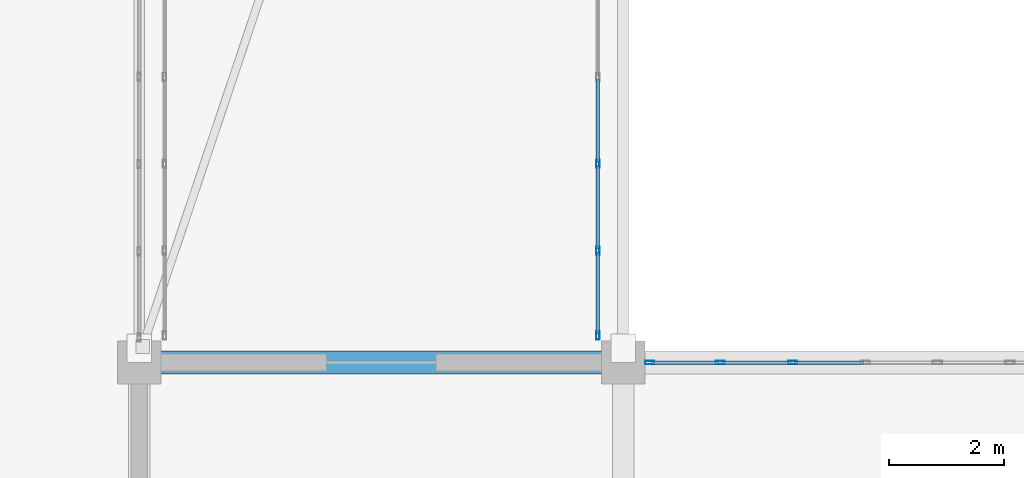
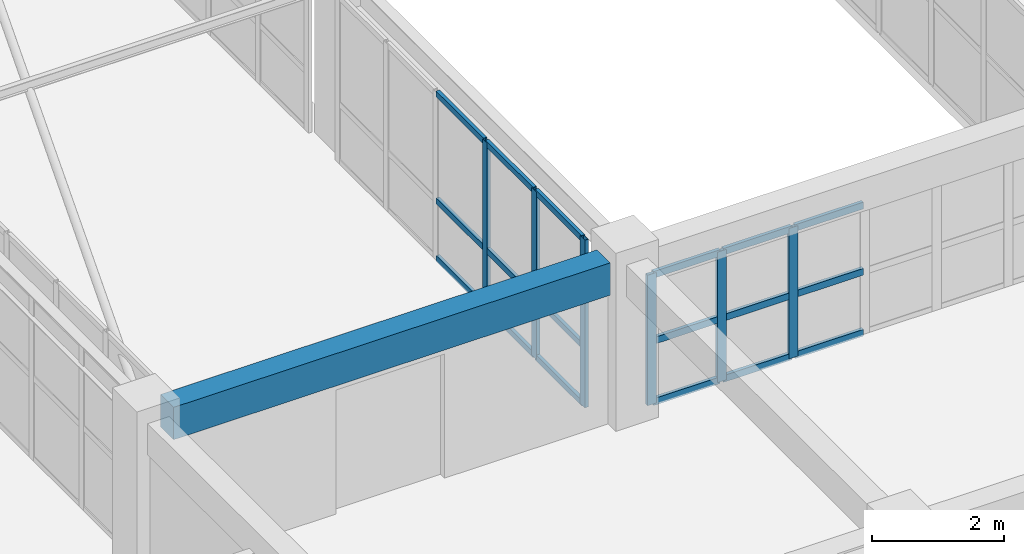
# One storey, part 93 of 200: 24 members, 1 beam, 2 elements without a shape of their own.
"""IFC4 building model written with IfcOpenShell, lengths in metres."""

from ifc_helpers import new_model, si_unit, direction, frame, origin, origin_2d, place, context, subcontext, project, spatial, rectangle, hollow_rectangle, extrude, material, layer, layer_set, material_profile, profile_set, type_object, element, aggregate, save


model = new_model("IFC4")

# Units and contexts
model_context = context("Model", 3, precision=1e-05, world=origin(), true_north=direction((0.0, 1.0)))
body_context = subcontext(model_context, "Body", "Model", "MODEL_VIEW")
ifc_project = project(units=[si_unit("LENGTHUNIT", "METRE"), si_unit("AREAUNIT", "SQUARE_METRE"), si_unit("VOLUMEUNIT", "CUBIC_METRE"), si_unit("PLANEANGLEUNIT", "RADIAN"), si_unit("MASSUNIT", "GRAM", prefix="KILO")], contexts=[model_context])

# Site, building, storey
site_placement = place(None, origin())
site = spatial("IfcSite", under=ifc_project, at=site_placement, CompositionType="ELEMENT")
building_placement = place(site_placement, origin())
building = spatial("IfcBuilding", under=site, at=building_placement, Name="Trelvath General Hospital", CompositionType="ELEMENT")
storey_placement = place(building_placement, frame((0.0, 0.0, 4.800048828125)))
storey = spatial("IfcBuildingStorey", under=building, at=storey_placement, Name="L01", CompositionType="ELEMENT", Elevation=4.800048828125)

# Beam
ifc_material_1 = material(Name="Concrete C35/45", Category="concrete")
ifc_material_profile_1 = material_profile(ifc_material_1, rectangle(XDim=0.39990234375, YDim=0.60009765625, at=origin_2d()), Name="RCB400x600")
ifc_profile_set_1 = profile_set([ifc_material_profile_1], Name="Concrete C35/45")
beam_type = type_object("IfcBeamType", Name="Beam RC400x600", PredefinedType="BEAM", material=ifc_profile_set_1)
beam_placement = place(storey_placement, frame((75.969970703125, 67.199951171875, 2.719970703125), z_axis=(1.0, 0.0, 0.0), x_axis=(0.0, 1.0, 0.0)))
element("IfcBeam", 1, at=beam_placement, inside=storey, type_object=beam_type, Name="Grid Beam BX-109I", PredefinedType="BEAM", context=body_context, shape_type="SweptSolid", body=[
    extrude(rectangle(XDim=0.39990234375, YDim=0.60009765625, at=origin_2d()), origin(), (0.0, 0.0, 1.0), 7.659912109375),
])

# Curtain wall, members
ifc_material_2 = material(Name="Anodised aluminium and low-E glass", Category="aluminium")
ifc_layer_1 = layer(ifc_material_2, 0.139892578125)
ifc_layer_set_1 = layer_set([ifc_layer_1], Name="Anodised aluminium and low-E glass")
curtain_wall_type_1 = type_object("IfcCurtainWallType", Name="CW Bridge 752 311", PredefinedType="USERDEFINED", material=ifc_layer_set_1)
curtain_wall_1_placement = place(storey_placement, origin())
curtain_wall_1 = element("IfcCurtainWall", 2, at=curtain_wall_1_placement, inside=storey, type_object=curtain_wall_type_1, Name="Glazed Bridge Curtain Wall BRG-N-C E L01", ObjectType="Unitised Glazed Curtain Wall", PredefinedType="USERDEFINED")
ifc_material_3 = material(Name="Anodised aluminium", Category="aluminium")
ifc_material_profile_2 = material_profile(ifc_material_3, hollow_rectangle(XDim=0.06005859375, YDim=0.139892578125, WallThickness=0.00390625, at=origin_2d()), Name="RHS60x140x4")
ifc_profile_set_2 = profile_set([ifc_material_profile_2], Name="Anodised aluminium")
member_type_1 = type_object("IfcMemberType", Name="CurtainMullion 60x140", PredefinedType="MULLION", material=ifc_profile_set_2)
member_1_placement = place(storey_placement, frame((83.56005859375, 70.64794921875, 0.0), z_axis=(0.0, 0.0, 1.0), x_axis=(1.0, 0.0, 0.0)))
member_1 = element("IfcMember", 3, at=member_1_placement, type_object=member_type_1, Name="CW-173 mullion 4", PredefinedType="MULLION", context=body_context, shape_type="SweptSolid", body=[
    extrude(hollow_rectangle(XDim=0.06005859375, YDim=0.139892578125, WallThickness=0.00390625, at=origin_2d()), origin(), (0.0, 0.0, 1.0), 3.10986328125),
])
member_2_placement = place(storey_placement, frame((83.56005859375, 69.14404296875, 0.0), z_axis=(0.0, 0.0, 1.0), x_axis=(1.0, 0.0, 0.0)))
member_2 = element("IfcMember", 4, at=member_2_placement, type_object=member_type_1, Name="CW-173 mullion 5", PredefinedType="MULLION", context=body_context, shape_type="SweptSolid", body=[
    extrude(hollow_rectangle(XDim=0.06005859375, YDim=0.139892578125, WallThickness=0.00390625, at=origin_2d()), origin(), (0.0, 0.0, 1.0), 3.10986328125),
])
member_3_placement = place(storey_placement, frame((83.56005859375, 67.669921875, 0.0), z_axis=(0.0, 0.0, 1.0), x_axis=(1.0, 0.0, 0.0)))
member_3 = element("IfcMember", 5, at=member_3_placement, type_object=member_type_1, Name="CW-173 mullion 6", PredefinedType="MULLION", context=body_context, shape_type="SweptSolid", body=[
    extrude(hollow_rectangle(XDim=0.06005859375, YDim=0.139892578125, WallThickness=0.00390625, at=origin_2d()), origin(), (0.0, 0.0, 1.0), 3.10986328125),
])

ifc_material_4 = material(Name="Anodised aluminium and low-E glass", Category="aluminium")
ifc_layer_2 = layer(ifc_material_4, 0.159912109375)
ifc_layer_set_2 = layer_set([ifc_layer_2], Name="Anodised aluminium and low-E glass")
curtain_wall_type_2 = type_object("IfcCurtainWallType", Name="CW Facade 754 242 16", PredefinedType="USERDEFINED", material=ifc_layer_set_2)
curtain_wall_2_placement = place(storey_placement, origin())
curtain_wall_2 = element("IfcCurtainWall", 6, at=curtain_wall_2_placement, inside=storey, type_object=curtain_wall_type_2, Name="Facade Curtain Wall CW-017", ObjectType="Unitised Glazed Curtain Wall", PredefinedType="USERDEFINED")
ifc_material_5 = material(Name="Anodised aluminium", Category="aluminium")
ifc_material_profile_3 = material_profile(ifc_material_5, hollow_rectangle(XDim=0.06005859375, YDim=0.159912109375, WallThickness=0.00390625, at=origin_2d()), Name="RHS60x160x4")
ifc_profile_set_3 = profile_set([ifc_material_profile_3], Name="Anodised aluminium")
member_type_2 = type_object("IfcMemberType", Name="CurtainMullion 60x160", PredefinedType="MULLION", material=ifc_profile_set_3)
member_4_placement = place(storey_placement, frame((84.4599609375, 67.199951171875, 0.0), z_axis=(0.0, 0.0, 1.0), x_axis=(0.0, 1.0, 0.0)))
member_4 = element("IfcMember", 7, at=member_4_placement, type_object=member_type_2, Name="CW-017 mullion 1", PredefinedType="MULLION", context=body_context, shape_type="SweptSolid", body=[
    extrude(hollow_rectangle(XDim=0.06005859375, YDim=0.159912109375, WallThickness=0.00390625, at=origin_2d()), origin(), (0.0, 0.0, 1.0), 2.419921875),
])
member_5_placement = place(storey_placement, frame((85.686767578125, 67.199951171875, 0.0), z_axis=(0.0, 0.0, 1.0), x_axis=(0.0, 1.0, 0.0)))
member_5 = element("IfcMember", 8, at=member_5_placement, type_object=member_type_2, Name="CW-017 mullion 2", PredefinedType="MULLION", context=body_context, shape_type="SweptSolid", body=[
    extrude(hollow_rectangle(XDim=0.06005859375, YDim=0.159912109375, WallThickness=0.00390625, at=origin_2d()), origin(), (0.0, 0.0, 1.0), 2.419921875),
])
member_6_placement = place(storey_placement, frame((86.943359375, 67.199951171875, 0.0), z_axis=(0.0, 0.0, 1.0), x_axis=(0.0, 1.0, 0.0)))
member_6 = element("IfcMember", 9, at=member_6_placement, type_object=member_type_2, Name="CW-017 mullion 3", PredefinedType="MULLION", context=body_context, shape_type="SweptSolid", body=[
    extrude(hollow_rectangle(XDim=0.06005859375, YDim=0.159912109375, WallThickness=0.00390625, at=origin_2d()), origin(), (0.0, 0.0, 1.0), 2.419921875),
])

# Member
ifc_material_6 = material(Name="Anodised aluminium", Category="aluminium")
ifc_material_profile_4 = material_profile(ifc_material_6, hollow_rectangle(XDim=0.06005859375, YDim=0.110107421875, WallThickness=0.00390625, at=origin_2d()), Name="RHS60x110x4")
ifc_profile_set_4 = profile_set([ifc_material_profile_4], Name="Anodised aluminium")
member_type_3 = type_object("IfcMemberType", Name="CurtainTransom 60x110", PredefinedType="USERDEFINED", material=ifc_profile_set_4)
member_7_placement = place(storey_placement, frame((83.56005859375, 72.1220703125, 0.030029296875), z_axis=(0.0, -1.0, 0.0), x_axis=(1.0, 0.0, 0.0)))
member_7 = element("IfcMember", 10, at=member_7_placement, type_object=member_type_3, Name="CW-173 transom 3.1", ObjectType="TRANSOM", PredefinedType="USERDEFINED", context=body_context, shape_type="SweptSolid", body=[
    extrude(hollow_rectangle(XDim=0.06005859375, YDim=0.110107421875, WallThickness=0.00390625, at=origin_2d()), origin(), (0.0, 0.0, 1.0), 1.444091796875),
])

member_8_placement = place(storey_placement, frame((83.56005859375, 72.1220703125, 1.099853515625), z_axis=(0.0, -1.0, 0.0), x_axis=(1.0, 0.0, 0.0)))
member_8 = element("IfcMember", 11, at=member_8_placement, type_object=member_type_3, Name="CW-173 transom 3.2", ObjectType="TRANSOM", PredefinedType="USERDEFINED", context=body_context, shape_type="SweptSolid", body=[
    extrude(hollow_rectangle(XDim=0.06005859375, YDim=0.110107421875, WallThickness=0.00390625, at=origin_2d()), origin(), (0.0, 0.0, 1.0), 1.444091796875),
])

member_9_placement = place(storey_placement, frame((83.56005859375, 72.1220703125, 3.079833984375), z_axis=(0.0, -1.0, 0.0), x_axis=(1.0, 0.0, 0.0)))
member_9 = element("IfcMember", 12, at=member_9_placement, type_object=member_type_3, Name="CW-173 transom 3.3", ObjectType="TRANSOM", PredefinedType="USERDEFINED", context=body_context, shape_type="SweptSolid", body=[
    extrude(hollow_rectangle(XDim=0.06005859375, YDim=0.110107421875, WallThickness=0.00390625, at=origin_2d()), origin(), (0.0, 0.0, 1.0), 1.444091796875),
])

member_10_placement = place(storey_placement, frame((83.56005859375, 70.617919921875, 0.030029296875), z_axis=(0.0, -1.0, 0.0), x_axis=(1.0, 0.0, 0.0)))
member_10 = element("IfcMember", 13, at=member_10_placement, type_object=member_type_3, Name="CW-173 transom 4.1", ObjectType="TRANSOM", PredefinedType="USERDEFINED", context=body_context, shape_type="SweptSolid", body=[
    extrude(hollow_rectangle(XDim=0.06005859375, YDim=0.110107421875, WallThickness=0.00390625, at=origin_2d()), origin(), (0.0, 0.0, 1.0), 1.44384765625),
])

member_11_placement = place(storey_placement, frame((83.56005859375, 70.617919921875, 1.099853515625), z_axis=(0.0, -1.0, 0.0), x_axis=(1.0, 0.0, 0.0)))
member_11 = element("IfcMember", 14, at=member_11_placement, type_object=member_type_3, Name="CW-173 transom 4.2", ObjectType="TRANSOM", PredefinedType="USERDEFINED", context=body_context, shape_type="SweptSolid", body=[
    extrude(hollow_rectangle(XDim=0.06005859375, YDim=0.110107421875, WallThickness=0.00390625, at=origin_2d()), origin(), (0.0, 0.0, 1.0), 1.44384765625),
])

member_12_placement = place(storey_placement, frame((83.56005859375, 70.617919921875, 3.079833984375), z_axis=(0.0, -1.0, 0.0), x_axis=(1.0, 0.0, 0.0)))
member_12 = element("IfcMember", 15, at=member_12_placement, type_object=member_type_3, Name="CW-173 transom 4.3", ObjectType="TRANSOM", PredefinedType="USERDEFINED", context=body_context, shape_type="SweptSolid", body=[
    extrude(hollow_rectangle(XDim=0.06005859375, YDim=0.110107421875, WallThickness=0.00390625, at=origin_2d()), origin(), (0.0, 0.0, 1.0), 1.44384765625),
])

member_13_placement = place(storey_placement, frame((83.56005859375, 69.114013671875, 0.030029296875), z_axis=(0.0, -1.0, 0.0), x_axis=(1.0, 0.0, 0.0)))
member_13 = element("IfcMember", 16, at=member_13_placement, type_object=member_type_3, Name="CW-173 transom 5.1", ObjectType="TRANSOM", PredefinedType="USERDEFINED", context=body_context, shape_type="SweptSolid", body=[
    extrude(hollow_rectangle(XDim=0.06005859375, YDim=0.110107421875, WallThickness=0.00390625, at=origin_2d()), origin(), (0.0, 0.0, 1.0), 1.4140625),
])

member_14_placement = place(storey_placement, frame((83.56005859375, 69.114013671875, 1.099853515625), z_axis=(0.0, -1.0, 0.0), x_axis=(1.0, 0.0, 0.0)))
member_14 = element("IfcMember", 17, at=member_14_placement, type_object=member_type_3, Name="CW-173 transom 5.2", ObjectType="TRANSOM", PredefinedType="USERDEFINED", context=body_context, shape_type="SweptSolid", body=[
    extrude(hollow_rectangle(XDim=0.06005859375, YDim=0.110107421875, WallThickness=0.00390625, at=origin_2d()), origin(), (0.0, 0.0, 1.0), 1.4140625),
])

member_15_placement = place(storey_placement, frame((83.56005859375, 69.114013671875, 3.079833984375), z_axis=(0.0, -1.0, 0.0), x_axis=(1.0, 0.0, 0.0)))
member_15 = element("IfcMember", 18, at=member_15_placement, type_object=member_type_3, Name="CW-173 transom 5.3", ObjectType="TRANSOM", PredefinedType="USERDEFINED", context=body_context, shape_type="SweptSolid", body=[
    extrude(hollow_rectangle(XDim=0.06005859375, YDim=0.110107421875, WallThickness=0.00390625, at=origin_2d()), origin(), (0.0, 0.0, 1.0), 1.4140625),
])

aggregate(curtain_wall_1, [member_1, member_2, member_3, member_7, member_8, member_9, member_10, member_11, member_12, member_13, member_14, member_15])

ifc_material_7 = material(Name="Anodised aluminium", Category="aluminium")
ifc_material_profile_5 = material_profile(ifc_material_7, hollow_rectangle(XDim=0.06005859375, YDim=0.125, WallThickness=0.00390625, at=origin_2d()), Name="RHS60x125x4")
ifc_profile_set_5 = profile_set([ifc_material_profile_5], Name="Anodised aluminium")
member_type_4 = type_object("IfcMemberType", Name="CurtainTransom 60x125", PredefinedType="USERDEFINED", material=ifc_profile_set_5)
member_16_placement = place(storey_placement, frame((84.489990234375, 67.199951171875, 0.030029296875), z_axis=(1.0, 0.0, 0.0), x_axis=(0.0, 1.0, 0.0)))
member_16 = element("IfcMember", 19, at=member_16_placement, type_object=member_type_4, Name="CW-017 transom 1.1", ObjectType="TRANSOM", PredefinedType="USERDEFINED", context=body_context, shape_type="SweptSolid", body=[
    extrude(hollow_rectangle(XDim=0.06005859375, YDim=0.125, WallThickness=0.00390625, at=origin_2d()), origin(), (0.0, 0.0, 1.0), 1.166748046875),
])

member_17_placement = place(storey_placement, frame((84.489990234375, 67.199951171875, 1.161865234375), z_axis=(1.0, 0.0, 0.0), x_axis=(0.0, 1.0, 0.0)))
member_17 = element("IfcMember", 20, at=member_17_placement, type_object=member_type_4, Name="CW-017 transom 1.2", ObjectType="TRANSOM", PredefinedType="USERDEFINED", context=body_context, shape_type="SweptSolid", body=[
    extrude(hollow_rectangle(XDim=0.06005859375, YDim=0.125, WallThickness=0.00390625, at=origin_2d()), origin(), (0.0, 0.0, 1.0), 1.166748046875),
])

member_18_placement = place(storey_placement, frame((84.489990234375, 67.199951171875, 2.389892578125), z_axis=(1.0, 0.0, 0.0), x_axis=(0.0, 1.0, 0.0)))
member_18 = element("IfcMember", 21, at=member_18_placement, type_object=member_type_4, Name="CW-017 transom 1.3", ObjectType="TRANSOM", PredefinedType="USERDEFINED", context=body_context, shape_type="SweptSolid", body=[
    extrude(hollow_rectangle(XDim=0.06005859375, YDim=0.125, WallThickness=0.00390625, at=origin_2d()), origin(), (0.0, 0.0, 1.0), 1.166748046875),
])

member_19_placement = place(storey_placement, frame((85.716552734375, 67.199951171875, 0.030029296875), z_axis=(1.0, 0.0, 0.0), x_axis=(0.0, 1.0, 0.0)))
member_19 = element("IfcMember", 22, at=member_19_placement, type_object=member_type_4, Name="CW-017 transom 2.1", ObjectType="TRANSOM", PredefinedType="USERDEFINED", context=body_context, shape_type="SweptSolid", body=[
    extrude(hollow_rectangle(XDim=0.06005859375, YDim=0.125, WallThickness=0.00390625, at=origin_2d()), origin(), (0.0, 0.0, 1.0), 1.19677734375),
])

member_20_placement = place(storey_placement, frame((85.716552734375, 67.199951171875, 1.161865234375), z_axis=(1.0, 0.0, 0.0), x_axis=(0.0, 1.0, 0.0)))
member_20 = element("IfcMember", 23, at=member_20_placement, type_object=member_type_4, Name="CW-017 transom 2.2", ObjectType="TRANSOM", PredefinedType="USERDEFINED", context=body_context, shape_type="SweptSolid", body=[
    extrude(hollow_rectangle(XDim=0.06005859375, YDim=0.125, WallThickness=0.00390625, at=origin_2d()), origin(), (0.0, 0.0, 1.0), 1.19677734375),
])

member_21_placement = place(storey_placement, frame((85.716552734375, 67.199951171875, 2.389892578125), z_axis=(1.0, 0.0, 0.0), x_axis=(0.0, 1.0, 0.0)))
member_21 = element("IfcMember", 24, at=member_21_placement, type_object=member_type_4, Name="CW-017 transom 2.3", ObjectType="TRANSOM", PredefinedType="USERDEFINED", context=body_context, shape_type="SweptSolid", body=[
    extrude(hollow_rectangle(XDim=0.06005859375, YDim=0.125, WallThickness=0.00390625, at=origin_2d()), origin(), (0.0, 0.0, 1.0), 1.19677734375),
])

member_22_placement = place(storey_placement, frame((86.973388671875, 67.199951171875, 0.030029296875), z_axis=(1.0, 0.0, 0.0), x_axis=(0.0, 1.0, 0.0)))
member_22 = element("IfcMember", 25, at=member_22_placement, type_object=member_type_4, Name="CW-017 transom 3.1", ObjectType="TRANSOM", PredefinedType="USERDEFINED", context=body_context, shape_type="SweptSolid", body=[
    extrude(hollow_rectangle(XDim=0.06005859375, YDim=0.125, WallThickness=0.00390625, at=origin_2d()), origin(), (0.0, 0.0, 1.0), 1.196533203125),
])

member_23_placement = place(storey_placement, frame((86.973388671875, 67.199951171875, 1.161865234375), z_axis=(1.0, 0.0, 0.0), x_axis=(0.0, 1.0, 0.0)))
member_23 = element("IfcMember", 26, at=member_23_placement, type_object=member_type_4, Name="CW-017 transom 3.2", ObjectType="TRANSOM", PredefinedType="USERDEFINED", context=body_context, shape_type="SweptSolid", body=[
    extrude(hollow_rectangle(XDim=0.06005859375, YDim=0.125, WallThickness=0.00390625, at=origin_2d()), origin(), (0.0, 0.0, 1.0), 1.196533203125),
])

member_24_placement = place(storey_placement, frame((86.973388671875, 67.199951171875, 2.389892578125), z_axis=(1.0, 0.0, 0.0), x_axis=(0.0, 1.0, 0.0)))
member_24 = element("IfcMember", 27, at=member_24_placement, type_object=member_type_4, Name="CW-017 transom 3.3", ObjectType="TRANSOM", PredefinedType="USERDEFINED", context=body_context, shape_type="SweptSolid", body=[
    extrude(hollow_rectangle(XDim=0.06005859375, YDim=0.125, WallThickness=0.00390625, at=origin_2d()), origin(), (0.0, 0.0, 1.0), 1.196533203125),
])

aggregate(curtain_wall_2, [member_4, member_5, member_6, member_16, member_17, member_18, member_19, member_20, member_21, member_22, member_23, member_24])

save(model, "model.ifc")
